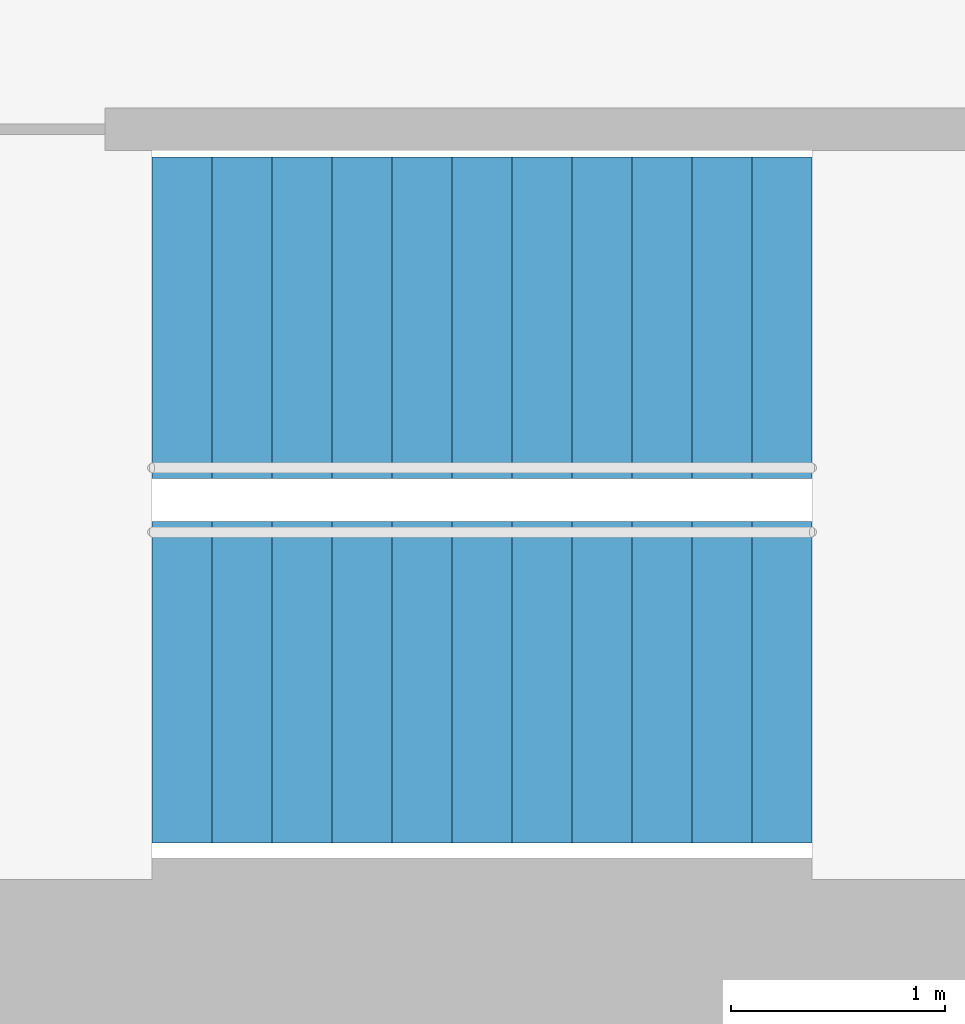
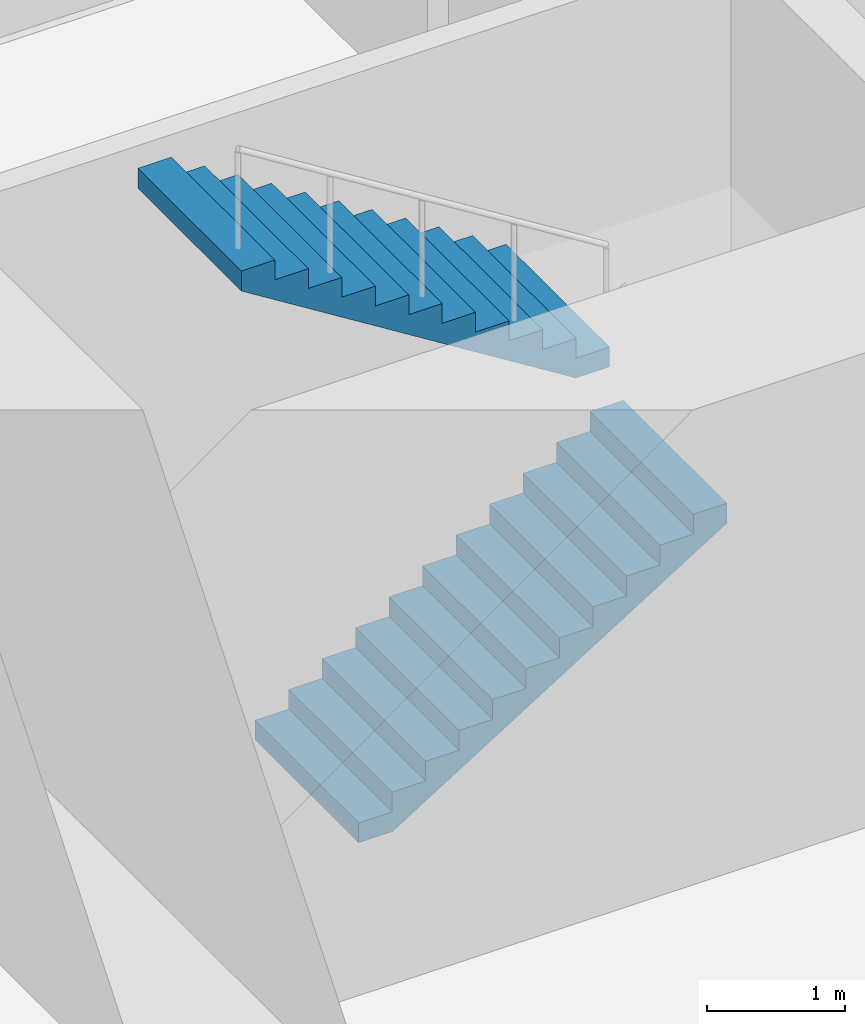
# One storey, part 16 of 18: 2 stair flights, 1 element without a shape of its own.
"""IFC4 building model written with IfcOpenShell, lengths in metres."""

from ifc_helpers import new_model, si_unit, direction, frame, origin, place, context, subcontext, project, spatial, triangles, material, type_object, element, aggregate, save


model = new_model("IFC4")

# Units and contexts
model_context = context("Model", 3, precision=1e-05, world=origin(), true_north=direction((0.0, 1.0)))
body_context = subcontext(model_context, "Body", "Model", "MODEL_VIEW")
ifc_project = project(units=[si_unit("LENGTHUNIT", "METRE"), si_unit("AREAUNIT", "SQUARE_METRE"), si_unit("VOLUMEUNIT", "CUBIC_METRE"), si_unit("PLANEANGLEUNIT", "RADIAN"), si_unit("MASSUNIT", "GRAM", prefix="KILO")], contexts=[model_context])

# Site, building, storey
site_placement = place(None, origin())
site = spatial("IfcSite", under=ifc_project, at=site_placement, CompositionType="ELEMENT")
building_placement = place(site_placement, origin())
building = spatial("IfcBuilding", under=site, at=building_placement, Name="Lantaw Convention Tower", CompositionType="ELEMENT")
storey_placement = place(building_placement, frame((0.0, 0.0, 188.800048828125)))
storey = spatial("IfcBuildingStorey", under=building, at=storey_placement, Name="L44", CompositionType="ELEMENT", Elevation=188.800048828125)

# Stair, stair flights
ifc_material = material(Name="Concrete C35/45", Category="concrete")
stair_type = type_object("IfcStairType", Name="Exit stair 1500 riser 175 in 2 flights", PredefinedType="HALF_TURN_STAIR", material=ifc_material)
stair_placement = place(storey_placement, origin())
stair = element("IfcStair", 1, at=stair_placement, inside=storey, type_object=stair_type, Name="Exit stair S1 L44", PredefinedType="HALF_TURN_STAIR")
stair_flight_type = type_object("IfcStairFlightType", Name="Stair flight 1500 riser 175", PredefinedType="STRAIGHT", material=ifc_material)
stair_flight_1_placement = place(storey_placement, frame((-10.580078125, -5.97998046875, 0.0), z_axis=(0.0, 0.0, 1.0), x_axis=(1.0, 0.0, 0.0)))
stair_flight_1 = element("IfcStairFlight", 2, at=stair_flight_1_placement, type_object=stair_flight_type, Name="S1 flight 1", NumberOfRisers=12, NumberOfTreads=11, PredefinedType="STRAIGHT", RiserHeight=0.175, TreadLength=0.28, context=body_context, shape_type="Tessellation", body=[
    triangles([(0.0, 0.75, 0.0), (0.0, 0.75, 0.175), (0.28, 0.75, 0.0), (0.28, 0.75, 0.175), (0.28, 0.75, 0.35), (0.28283517651771284, 0.75, 0.0), (0.28283517651771284, 0.75, 0.35), (0.56, 0.75, 0.17322801467642948), (0.56, 0.75, 0.35), (0.56, 0.75, 0.5249999999999999), (0.8400000000000001, 0.75, 0.34822801467642944), (0.8400000000000001, 0.75, 0.5249999999999999), (0.8400000000000001, 0.75, 0.7), (1.12, 0.75, 0.5232280146764294), (1.12, 0.75, 0.7), (1.12, 0.75, 0.875), (1.4000000000000001, 0.75, 0.6982280146764295), (1.4000000000000001, 0.75, 0.875), (1.4000000000000001, 0.75, 1.0499999999999998), (1.6800000000000002, 0.75, 0.8732280146764294), (1.6800000000000002, 0.75, 1.0499999999999998), (1.6800000000000002, 0.75, 1.2249999999999999), (1.9600000000000002, 0.75, 1.0482280146764293), (1.9600000000000002, 0.75, 1.2249999999999999), (1.9600000000000002, 0.75, 1.4), (2.24, 0.75, 1.2232280146764294), (2.24, 0.75, 1.4), (2.24, 0.75, 1.575), (2.5200000000000005, 0.75, 1.3982280146764294), (2.5200000000000005, 0.75, 1.575), (2.5200000000000005, 0.75, 1.75), (2.8000000000000003, 0.75, 1.5732280146764293), (2.8000000000000003, 0.75, 1.75), (2.8000000000000003, 0.75, 1.9249999999999998), (3.08, 0.75, 1.7482280146764293), (3.08, 0.75, 1.9249999999999998), (0.0, -0.75, 0.0), (0.0, -0.75, 0.175), (0.28, -0.75, 0.0), (0.28, -0.75, 0.175), (0.28, -0.75, 0.35), (0.28283517651771284, -0.75, 0.0), (0.28283517651771284, -0.75, 0.35), (0.56, -0.75, 0.17322801467642948), (0.56, -0.75, 0.35), (0.56, -0.75, 0.5249999999999999), (0.8400000000000001, -0.75, 0.34822801467642944), (0.8400000000000001, -0.75, 0.5249999999999999), (0.8400000000000001, -0.75, 0.7), (1.12, -0.75, 0.5232280146764294), (1.12, -0.75, 0.7), (1.12, -0.75, 0.875), (1.4000000000000001, -0.75, 0.6982280146764295), (1.4000000000000001, -0.75, 0.875), (1.4000000000000001, -0.75, 1.0499999999999998), (1.6800000000000002, -0.75, 0.8732280146764294), (1.6800000000000002, -0.75, 1.0499999999999998), (1.6800000000000002, -0.75, 1.2249999999999999), (1.9600000000000002, -0.75, 1.0482280146764293), (1.9600000000000002, -0.75, 1.2249999999999999), (1.9600000000000002, -0.75, 1.4), (2.24, -0.75, 1.2232280146764294), (2.24, -0.75, 1.4), (2.24, -0.75, 1.575), (2.5200000000000005, -0.75, 1.3982280146764294), (2.5200000000000005, -0.75, 1.575), (2.5200000000000005, -0.75, 1.75), (2.8000000000000003, -0.75, 1.5732280146764293), (2.8000000000000003, -0.75, 1.75), (2.8000000000000003, -0.75, 1.9249999999999998), (3.08, -0.75, 1.7482280146764293), (3.08, -0.75, 1.9249999999999998), (0.0, 0.15000000000000002, 0.175), (0.0, 0.15000000000000002, 0.0), (0.0, 0.0, 0.175), (0.0, 0.0, 0.0), (0.0, -0.15000000000000002, 0.175), (0.0, -0.15000000000000002, 0.0), (0.28, 0.15000000000000002, 0.35), (0.28, 0.15000000000000002, 0.175), (0.28, 0.0, 0.35), (0.28, 0.0, 0.175), (0.28, -0.15000000000000002, 0.35), (0.28, -0.15000000000000002, 0.175), (0.56, 0.15000000000000002, 0.5249999999999999), (0.56, 0.15000000000000002, 0.35), (0.56, 0.0, 0.5249999999999999), (0.56, 0.0, 0.35), (0.56, -0.15000000000000002, 0.5249999999999999), (0.56, -0.15000000000000002, 0.35), (0.8400000000000001, 0.15000000000000002, 0.7), (0.8400000000000001, 0.15000000000000002, 0.5249999999999999), (0.8400000000000001, 0.0, 0.7), (0.8400000000000001, 0.0, 0.5249999999999999), (0.8400000000000001, -0.15000000000000002, 0.7), (0.8400000000000001, -0.15000000000000002, 0.5249999999999999), (1.12, 0.15000000000000002, 0.875), (1.12, 0.15000000000000002, 0.7), (1.12, 0.0, 0.875), (1.12, 0.0, 0.7), (1.12, -0.15000000000000002, 0.875), (1.12, -0.15000000000000002, 0.7), (1.4000000000000001, 0.15000000000000002, 1.0499999999999998), (1.4000000000000001, 0.15000000000000002, 0.875), (1.4000000000000001, 0.0, 1.0499999999999998), (1.4000000000000001, 0.0, 0.875), (1.4000000000000001, -0.15000000000000002, 1.0499999999999998), (1.4000000000000001, -0.15000000000000002, 0.875), (1.6800000000000002, 0.15000000000000002, 1.2249999999999999), (1.6800000000000002, 0.15000000000000002, 1.0499999999999998), (1.6800000000000002, 0.0, 1.2249999999999999), (1.6800000000000002, 0.0, 1.0499999999999998), (1.6800000000000002, -0.15000000000000002, 1.2249999999999999), (1.6800000000000002, -0.15000000000000002, 1.0499999999999998), (1.9600000000000002, 0.15000000000000002, 1.4), (1.9600000000000002, 0.15000000000000002, 1.2249999999999999), (1.9600000000000002, 0.0, 1.4), (1.9600000000000002, 0.0, 1.2249999999999999), (1.9600000000000002, -0.15000000000000002, 1.4), (1.9600000000000002, -0.15000000000000002, 1.2249999999999999), (2.24, 0.15000000000000002, 1.575), (2.24, 0.15000000000000002, 1.4), (2.24, 0.0, 1.575), (2.24, 0.0, 1.4), (2.24, -0.15000000000000002, 1.575), (2.24, -0.15000000000000002, 1.4), (2.5200000000000005, 0.15000000000000002, 1.75), (2.5200000000000005, 0.15000000000000002, 1.575), (2.5200000000000005, 0.0, 1.75), (2.5200000000000005, 0.0, 1.575), (2.5200000000000005, -0.15000000000000002, 1.75), (2.5200000000000005, -0.15000000000000002, 1.575), (2.8000000000000003, 0.15000000000000002, 1.9249999999999998), (2.8000000000000003, 0.15000000000000002, 1.75), (2.8000000000000003, 0.0, 1.9249999999999998), (2.8000000000000003, 0.0, 1.75), (2.8000000000000003, -0.15000000000000002, 1.9249999999999998), (2.8000000000000003, -0.15000000000000002, 1.75), (0.28283517651771284, 0.15000000000000002, 0.35), (0.28283517651771284, 0.0, 0.35), (0.28283517651771284, -0.15000000000000002, 0.35), (3.08, 0.15000000000000002, 1.9249999999999998), (3.08, 0.0, 1.9249999999999998), (3.08, -0.15000000000000002, 1.9249999999999998), (3.08, 0.15000000000000002, 1.7482280146764293), (3.08, 0.0, 1.7482280146764293), (3.08, -0.15000000000000002, 1.7482280146764293), (2.8000000000000003, 0.15000000000000002, 1.5732280146764293), (2.8000000000000003, 0.0, 1.5732280146764293), (2.8000000000000003, -0.15000000000000002, 1.5732280146764293), (2.5200000000000005, 0.15000000000000002, 1.3982280146764294), (2.5200000000000005, 0.0, 1.3982280146764294), (2.5200000000000005, -0.15000000000000002, 1.3982280146764294), (2.24, 0.15000000000000002, 1.2232280146764294), (2.24, 0.0, 1.2232280146764294), (2.24, -0.15000000000000002, 1.2232280146764294), (1.9600000000000002, 0.15000000000000002, 1.0482280146764293), (1.9600000000000002, 0.0, 1.0482280146764293), (1.9600000000000002, -0.15000000000000002, 1.0482280146764293), (1.6800000000000002, 0.15000000000000002, 0.8732280146764294), (1.6800000000000002, 0.0, 0.8732280146764294), (1.6800000000000002, -0.15000000000000002, 0.8732280146764294), (1.4000000000000001, 0.15000000000000002, 0.6982280146764295), (1.4000000000000001, 0.0, 0.6982280146764295), (1.4000000000000001, -0.15000000000000002, 0.6982280146764295), (1.12, 0.15000000000000002, 0.5232280146764294), (1.12, 0.0, 0.5232280146764294), (1.12, -0.15000000000000002, 0.5232280146764294), (0.8400000000000001, 0.15000000000000002, 0.34822801467642944), (0.8400000000000001, 0.0, 0.34822801467642944), (0.8400000000000001, -0.15000000000000002, 0.34822801467642944), (0.56, 0.15000000000000002, 0.17322801467642948), (0.56, 0.0, 0.17322801467642948), (0.56, -0.15000000000000002, 0.17322801467642948), (0.28283517651771284, 0.15000000000000002, 0.0), (0.28283517651771284, 0.0, 0.0), (0.28283517651771284, -0.15000000000000002, 0.0), (0.28, 0.15000000000000002, 0.0), (0.28, 0.0, 0.0), (0.28, -0.15000000000000002, 0.0)], [[1, 4, 3], [1, 2, 4], [3, 4, 6], [4, 7, 6], [4, 5, 7], [6, 9, 8], [6, 7, 9], [8, 9, 11], [9, 12, 11], [9, 10, 12], [11, 12, 14], [12, 15, 14], [12, 13, 15], [14, 15, 17], [15, 18, 17], [15, 16, 18], [17, 18, 20], [18, 21, 20], [18, 19, 21], [20, 21, 23], [21, 24, 23], [21, 22, 24], [23, 24, 26], [24, 27, 26], [24, 25, 27], [26, 27, 29], [27, 30, 29], [27, 28, 30], [29, 30, 32], [30, 33, 32], [30, 31, 33], [32, 33, 35], [33, 36, 35], [33, 34, 36], [37, 39, 40], [37, 40, 38], [39, 42, 40], [40, 42, 43], [40, 43, 41], [42, 44, 45], [42, 45, 43], [44, 47, 45], [45, 47, 48], [45, 48, 46], [47, 50, 48], [48, 50, 51], [48, 51, 49], [50, 53, 51], [51, 53, 54], [51, 54, 52], [53, 56, 54], [54, 56, 57], [54, 57, 55], [56, 59, 57], [57, 59, 60], [57, 60, 58], [59, 62, 60], [60, 62, 63], [60, 63, 61], [62, 65, 63], [63, 65, 66], [63, 66, 64], [65, 68, 66], [66, 68, 69], [66, 69, 67], [68, 71, 69], [69, 71, 72], [69, 72, 70], [1, 73, 2], [1, 74, 73], [74, 75, 73], [74, 76, 75], [76, 77, 75], [76, 78, 77], [78, 38, 77], [78, 37, 38], [4, 79, 5], [4, 80, 79], [80, 81, 79], [80, 82, 81], [82, 83, 81], [82, 84, 83], [84, 41, 83], [84, 40, 41], [9, 85, 10], [9, 86, 85], [86, 87, 85], [86, 88, 87], [88, 89, 87], [88, 90, 89], [90, 46, 89], [90, 45, 46], [12, 91, 13], [12, 92, 91], [92, 93, 91], [92, 94, 93], [94, 95, 93], [94, 96, 95], [96, 49, 95], [96, 48, 49], [15, 97, 16], [15, 98, 97], [98, 99, 97], [98, 100, 99], [100, 101, 99], [100, 102, 101], [102, 52, 101], [102, 51, 52], [18, 103, 19], [18, 104, 103], [104, 105, 103], [104, 106, 105], [106, 107, 105], [106, 108, 107], [108, 55, 107], [108, 54, 55], [21, 109, 22], [21, 110, 109], [110, 111, 109], [110, 112, 111], [112, 113, 111], [112, 114, 113], [114, 58, 113], [114, 57, 58], [24, 115, 25], [24, 116, 115], [116, 117, 115], [116, 118, 117], [118, 119, 117], [118, 120, 119], [120, 61, 119], [120, 60, 61], [27, 121, 28], [27, 122, 121], [122, 123, 121], [122, 124, 123], [124, 125, 123], [124, 126, 125], [126, 64, 125], [126, 63, 64], [30, 127, 31], [30, 128, 127], [128, 129, 127], [128, 130, 129], [130, 131, 129], [130, 132, 131], [132, 67, 131], [132, 66, 67], [33, 133, 34], [33, 134, 133], [134, 135, 133], [134, 136, 135], [136, 137, 135], [136, 138, 137], [138, 70, 137], [138, 69, 70], [2, 80, 4], [2, 73, 80], [73, 82, 80], [73, 75, 82], [75, 84, 82], [75, 77, 84], [77, 40, 84], [77, 38, 40], [5, 139, 7], [5, 79, 139], [79, 140, 139], [79, 81, 140], [81, 141, 140], [81, 83, 141], [83, 43, 141], [83, 41, 43], [7, 86, 9], [7, 139, 86], [139, 88, 86], [139, 140, 88], [140, 90, 88], [140, 141, 90], [141, 45, 90], [141, 43, 45], [10, 92, 12], [10, 85, 92], [85, 94, 92], [85, 87, 94], [87, 96, 94], [87, 89, 96], [89, 48, 96], [89, 46, 48], [13, 98, 15], [13, 91, 98], [91, 100, 98], [91, 93, 100], [93, 102, 100], [93, 95, 102], [95, 51, 102], [95, 49, 51], [16, 104, 18], [16, 97, 104], [97, 106, 104], [97, 99, 106], [99, 108, 106], [99, 101, 108], [101, 54, 108], [101, 52, 54], [19, 110, 21], [19, 103, 110], [103, 112, 110], [103, 105, 112], [105, 114, 112], [105, 107, 114], [107, 57, 114], [107, 55, 57], [22, 116, 24], [22, 109, 116], [109, 118, 116], [109, 111, 118], [111, 120, 118], [111, 113, 120], [113, 60, 120], [113, 58, 60], [25, 122, 27], [25, 115, 122], [115, 124, 122], [115, 117, 124], [117, 126, 124], [117, 119, 126], [119, 63, 126], [119, 61, 63], [28, 128, 30], [28, 121, 128], [121, 130, 128], [121, 123, 130], [123, 132, 130], [123, 125, 132], [125, 66, 132], [125, 64, 66], [31, 134, 33], [31, 127, 134], [127, 136, 134], [127, 129, 136], [129, 138, 136], [129, 131, 138], [131, 69, 138], [131, 67, 69], [34, 142, 36], [34, 133, 142], [133, 143, 142], [133, 135, 143], [135, 144, 143], [135, 137, 144], [137, 72, 144], [137, 70, 72], [36, 145, 35], [36, 142, 145], [142, 146, 145], [142, 143, 146], [143, 147, 146], [143, 144, 147], [144, 71, 147], [144, 72, 71], [35, 148, 32], [35, 145, 148], [145, 149, 148], [145, 146, 149], [146, 150, 149], [146, 147, 150], [147, 68, 150], [147, 71, 68], [32, 151, 29], [32, 148, 151], [148, 152, 151], [148, 149, 152], [149, 153, 152], [149, 150, 153], [150, 65, 153], [150, 68, 65], [29, 154, 26], [29, 151, 154], [151, 155, 154], [151, 152, 155], [152, 156, 155], [152, 153, 156], [153, 62, 156], [153, 65, 62], [26, 157, 23], [26, 154, 157], [154, 158, 157], [154, 155, 158], [155, 159, 158], [155, 156, 159], [156, 59, 159], [156, 62, 59], [23, 160, 20], [23, 157, 160], [157, 161, 160], [157, 158, 161], [158, 162, 161], [158, 159, 162], [159, 56, 162], [159, 59, 56], [20, 163, 17], [20, 160, 163], [160, 164, 163], [160, 161, 164], [161, 165, 164], [161, 162, 165], [162, 53, 165], [162, 56, 53], [17, 166, 14], [17, 163, 166], [163, 167, 166], [163, 164, 167], [164, 168, 167], [164, 165, 168], [165, 50, 168], [165, 53, 50], [14, 169, 11], [14, 166, 169], [166, 170, 169], [166, 167, 170], [167, 171, 170], [167, 168, 171], [168, 47, 171], [168, 50, 47], [11, 172, 8], [11, 169, 172], [169, 173, 172], [169, 170, 173], [170, 174, 173], [170, 171, 174], [171, 44, 174], [171, 47, 44], [8, 175, 6], [8, 172, 175], [172, 176, 175], [172, 173, 176], [173, 177, 176], [173, 174, 177], [174, 42, 177], [174, 44, 42], [6, 178, 3], [6, 175, 178], [175, 179, 178], [175, 176, 179], [176, 180, 179], [176, 177, 180], [177, 39, 180], [177, 42, 39], [3, 74, 1], [3, 178, 74], [178, 76, 74], [178, 179, 76], [179, 78, 76], [179, 180, 78], [180, 37, 78], [180, 39, 37]], closed=True),
])
stair_flight_2_placement = place(storey_placement, frame((-7.5, -4.280029296875, 2.099853515625), z_axis=(0.0, 0.0, 1.0), x_axis=(-1.0, 0.0, 0.0)))
stair_flight_2 = element("IfcStairFlight", 3, at=stair_flight_2_placement, type_object=stair_flight_type, Name="S1 flight 2", NumberOfRisers=12, NumberOfTreads=11, PredefinedType="STRAIGHT", RiserHeight=0.175, TreadLength=0.28, context=body_context, shape_type="Tessellation", body=[
    triangles([(0.0, 0.75, 0.0), (0.0, 0.75, 0.175), (0.28, 0.75, 0.0), (0.28, 0.75, 0.175), (0.28, 0.75, 0.35), (0.28283517651771284, 0.75, 0.0), (0.28283517651771284, 0.75, 0.35), (0.56, 0.75, 0.17322801467642948), (0.56, 0.75, 0.35), (0.56, 0.75, 0.5249999999999999), (0.8400000000000001, 0.75, 0.34822801467642944), (0.8400000000000001, 0.75, 0.5249999999999999), (0.8400000000000001, 0.75, 0.7), (1.12, 0.75, 0.5232280146764294), (1.12, 0.75, 0.7), (1.12, 0.75, 0.875), (1.4000000000000001, 0.75, 0.6982280146764295), (1.4000000000000001, 0.75, 0.875), (1.4000000000000001, 0.75, 1.0499999999999998), (1.6800000000000002, 0.75, 0.8732280146764294), (1.6800000000000002, 0.75, 1.0499999999999998), (1.6800000000000002, 0.75, 1.2249999999999999), (1.9600000000000002, 0.75, 1.0482280146764293), (1.9600000000000002, 0.75, 1.2249999999999999), (1.9600000000000002, 0.75, 1.4), (2.24, 0.75, 1.2232280146764294), (2.24, 0.75, 1.4), (2.24, 0.75, 1.575), (2.5200000000000005, 0.75, 1.3982280146764294), (2.5200000000000005, 0.75, 1.575), (2.5200000000000005, 0.75, 1.75), (2.8000000000000003, 0.75, 1.5732280146764293), (2.8000000000000003, 0.75, 1.75), (2.8000000000000003, 0.75, 1.9249999999999998), (3.08, 0.75, 1.7482280146764293), (3.08, 0.75, 1.9249999999999998), (0.0, -0.75, 0.0), (0.0, -0.75, 0.175), (0.28, -0.75, 0.0), (0.28, -0.75, 0.175), (0.28, -0.75, 0.35), (0.28283517651771284, -0.75, 0.0), (0.28283517651771284, -0.75, 0.35), (0.56, -0.75, 0.17322801467642948), (0.56, -0.75, 0.35), (0.56, -0.75, 0.5249999999999999), (0.8400000000000001, -0.75, 0.34822801467642944), (0.8400000000000001, -0.75, 0.5249999999999999), (0.8400000000000001, -0.75, 0.7), (1.12, -0.75, 0.5232280146764294), (1.12, -0.75, 0.7), (1.12, -0.75, 0.875), (1.4000000000000001, -0.75, 0.6982280146764295), (1.4000000000000001, -0.75, 0.875), (1.4000000000000001, -0.75, 1.0499999999999998), (1.6800000000000002, -0.75, 0.8732280146764294), (1.6800000000000002, -0.75, 1.0499999999999998), (1.6800000000000002, -0.75, 1.2249999999999999), (1.9600000000000002, -0.75, 1.0482280146764293), (1.9600000000000002, -0.75, 1.2249999999999999), (1.9600000000000002, -0.75, 1.4), (2.24, -0.75, 1.2232280146764294), (2.24, -0.75, 1.4), (2.24, -0.75, 1.575), (2.5200000000000005, -0.75, 1.3982280146764294), (2.5200000000000005, -0.75, 1.575), (2.5200000000000005, -0.75, 1.75), (2.8000000000000003, -0.75, 1.5732280146764293), (2.8000000000000003, -0.75, 1.75), (2.8000000000000003, -0.75, 1.9249999999999998), (3.08, -0.75, 1.7482280146764293), (3.08, -0.75, 1.9249999999999998), (0.0, 0.15000000000000002, 0.175), (0.0, 0.15000000000000002, 0.0), (0.0, 0.0, 0.175), (0.0, 0.0, 0.0), (0.0, -0.15000000000000002, 0.175), (0.0, -0.15000000000000002, 0.0), (0.28, 0.15000000000000002, 0.35), (0.28, 0.15000000000000002, 0.175), (0.28, 0.0, 0.35), (0.28, 0.0, 0.175), (0.28, -0.15000000000000002, 0.35), (0.28, -0.15000000000000002, 0.175), (0.56, 0.15000000000000002, 0.5249999999999999), (0.56, 0.15000000000000002, 0.35), (0.56, 0.0, 0.5249999999999999), (0.56, 0.0, 0.35), (0.56, -0.15000000000000002, 0.5249999999999999), (0.56, -0.15000000000000002, 0.35), (0.8400000000000001, 0.15000000000000002, 0.7), (0.8400000000000001, 0.15000000000000002, 0.5249999999999999), (0.8400000000000001, 0.0, 0.7), (0.8400000000000001, 0.0, 0.5249999999999999), (0.8400000000000001, -0.15000000000000002, 0.7), (0.8400000000000001, -0.15000000000000002, 0.5249999999999999), (1.12, 0.15000000000000002, 0.875), (1.12, 0.15000000000000002, 0.7), (1.12, 0.0, 0.875), (1.12, 0.0, 0.7), (1.12, -0.15000000000000002, 0.875), (1.12, -0.15000000000000002, 0.7), (1.4000000000000001, 0.15000000000000002, 1.0499999999999998), (1.4000000000000001, 0.15000000000000002, 0.875), (1.4000000000000001, 0.0, 1.0499999999999998), (1.4000000000000001, 0.0, 0.875), (1.4000000000000001, -0.15000000000000002, 1.0499999999999998), (1.4000000000000001, -0.15000000000000002, 0.875), (1.6800000000000002, 0.15000000000000002, 1.2249999999999999), (1.6800000000000002, 0.15000000000000002, 1.0499999999999998), (1.6800000000000002, 0.0, 1.2249999999999999), (1.6800000000000002, 0.0, 1.0499999999999998), (1.6800000000000002, -0.15000000000000002, 1.2249999999999999), (1.6800000000000002, -0.15000000000000002, 1.0499999999999998), (1.9600000000000002, 0.15000000000000002, 1.4), (1.9600000000000002, 0.15000000000000002, 1.2249999999999999), (1.9600000000000002, 0.0, 1.4), (1.9600000000000002, 0.0, 1.2249999999999999), (1.9600000000000002, -0.15000000000000002, 1.4), (1.9600000000000002, -0.15000000000000002, 1.2249999999999999), (2.24, 0.15000000000000002, 1.575), (2.24, 0.15000000000000002, 1.4), (2.24, 0.0, 1.575), (2.24, 0.0, 1.4), (2.24, -0.15000000000000002, 1.575), (2.24, -0.15000000000000002, 1.4), (2.5200000000000005, 0.15000000000000002, 1.75), (2.5200000000000005, 0.15000000000000002, 1.575), (2.5200000000000005, 0.0, 1.75), (2.5200000000000005, 0.0, 1.575), (2.5200000000000005, -0.15000000000000002, 1.75), (2.5200000000000005, -0.15000000000000002, 1.575), (2.8000000000000003, 0.15000000000000002, 1.9249999999999998), (2.8000000000000003, 0.15000000000000002, 1.75), (2.8000000000000003, 0.0, 1.9249999999999998), (2.8000000000000003, 0.0, 1.75), (2.8000000000000003, -0.15000000000000002, 1.9249999999999998), (2.8000000000000003, -0.15000000000000002, 1.75), (0.28283517651771284, 0.15000000000000002, 0.35), (0.28283517651771284, 0.0, 0.35), (0.28283517651771284, -0.15000000000000002, 0.35), (3.08, 0.15000000000000002, 1.9249999999999998), (3.08, 0.0, 1.9249999999999998), (3.08, -0.15000000000000002, 1.9249999999999998), (3.08, 0.15000000000000002, 1.7482280146764293), (3.08, 0.0, 1.7482280146764293), (3.08, -0.15000000000000002, 1.7482280146764293), (2.8000000000000003, 0.15000000000000002, 1.5732280146764293), (2.8000000000000003, 0.0, 1.5732280146764293), (2.8000000000000003, -0.15000000000000002, 1.5732280146764293), (2.5200000000000005, 0.15000000000000002, 1.3982280146764294), (2.5200000000000005, 0.0, 1.3982280146764294), (2.5200000000000005, -0.15000000000000002, 1.3982280146764294), (2.24, 0.15000000000000002, 1.2232280146764294), (2.24, 0.0, 1.2232280146764294), (2.24, -0.15000000000000002, 1.2232280146764294), (1.9600000000000002, 0.15000000000000002, 1.0482280146764293), (1.9600000000000002, 0.0, 1.0482280146764293), (1.9600000000000002, -0.15000000000000002, 1.0482280146764293), (1.6800000000000002, 0.15000000000000002, 0.8732280146764294), (1.6800000000000002, 0.0, 0.8732280146764294), (1.6800000000000002, -0.15000000000000002, 0.8732280146764294), (1.4000000000000001, 0.15000000000000002, 0.6982280146764295), (1.4000000000000001, 0.0, 0.6982280146764295), (1.4000000000000001, -0.15000000000000002, 0.6982280146764295), (1.12, 0.15000000000000002, 0.5232280146764294), (1.12, 0.0, 0.5232280146764294), (1.12, -0.15000000000000002, 0.5232280146764294), (0.8400000000000001, 0.15000000000000002, 0.34822801467642944), (0.8400000000000001, 0.0, 0.34822801467642944), (0.8400000000000001, -0.15000000000000002, 0.34822801467642944), (0.56, 0.15000000000000002, 0.17322801467642948), (0.56, 0.0, 0.17322801467642948), (0.56, -0.15000000000000002, 0.17322801467642948), (0.28283517651771284, 0.15000000000000002, 0.0), (0.28283517651771284, 0.0, 0.0), (0.28283517651771284, -0.15000000000000002, 0.0), (0.28, 0.15000000000000002, 0.0), (0.28, 0.0, 0.0), (0.28, -0.15000000000000002, 0.0)], [[1, 4, 3], [1, 2, 4], [3, 4, 6], [4, 7, 6], [4, 5, 7], [6, 9, 8], [6, 7, 9], [8, 9, 11], [9, 12, 11], [9, 10, 12], [11, 12, 14], [12, 15, 14], [12, 13, 15], [14, 15, 17], [15, 18, 17], [15, 16, 18], [17, 18, 20], [18, 21, 20], [18, 19, 21], [20, 21, 23], [21, 24, 23], [21, 22, 24], [23, 24, 26], [24, 27, 26], [24, 25, 27], [26, 27, 29], [27, 30, 29], [27, 28, 30], [29, 30, 32], [30, 33, 32], [30, 31, 33], [32, 33, 35], [33, 36, 35], [33, 34, 36], [37, 39, 40], [37, 40, 38], [39, 42, 40], [40, 42, 43], [40, 43, 41], [42, 44, 45], [42, 45, 43], [44, 47, 45], [45, 47, 48], [45, 48, 46], [47, 50, 48], [48, 50, 51], [48, 51, 49], [50, 53, 51], [51, 53, 54], [51, 54, 52], [53, 56, 54], [54, 56, 57], [54, 57, 55], [56, 59, 57], [57, 59, 60], [57, 60, 58], [59, 62, 60], [60, 62, 63], [60, 63, 61], [62, 65, 63], [63, 65, 66], [63, 66, 64], [65, 68, 66], [66, 68, 69], [66, 69, 67], [68, 71, 69], [69, 71, 72], [69, 72, 70], [1, 73, 2], [1, 74, 73], [74, 75, 73], [74, 76, 75], [76, 77, 75], [76, 78, 77], [78, 38, 77], [78, 37, 38], [4, 79, 5], [4, 80, 79], [80, 81, 79], [80, 82, 81], [82, 83, 81], [82, 84, 83], [84, 41, 83], [84, 40, 41], [9, 85, 10], [9, 86, 85], [86, 87, 85], [86, 88, 87], [88, 89, 87], [88, 90, 89], [90, 46, 89], [90, 45, 46], [12, 91, 13], [12, 92, 91], [92, 93, 91], [92, 94, 93], [94, 95, 93], [94, 96, 95], [96, 49, 95], [96, 48, 49], [15, 97, 16], [15, 98, 97], [98, 99, 97], [98, 100, 99], [100, 101, 99], [100, 102, 101], [102, 52, 101], [102, 51, 52], [18, 103, 19], [18, 104, 103], [104, 105, 103], [104, 106, 105], [106, 107, 105], [106, 108, 107], [108, 55, 107], [108, 54, 55], [21, 109, 22], [21, 110, 109], [110, 111, 109], [110, 112, 111], [112, 113, 111], [112, 114, 113], [114, 58, 113], [114, 57, 58], [24, 115, 25], [24, 116, 115], [116, 117, 115], [116, 118, 117], [118, 119, 117], [118, 120, 119], [120, 61, 119], [120, 60, 61], [27, 121, 28], [27, 122, 121], [122, 123, 121], [122, 124, 123], [124, 125, 123], [124, 126, 125], [126, 64, 125], [126, 63, 64], [30, 127, 31], [30, 128, 127], [128, 129, 127], [128, 130, 129], [130, 131, 129], [130, 132, 131], [132, 67, 131], [132, 66, 67], [33, 133, 34], [33, 134, 133], [134, 135, 133], [134, 136, 135], [136, 137, 135], [136, 138, 137], [138, 70, 137], [138, 69, 70], [2, 80, 4], [2, 73, 80], [73, 82, 80], [73, 75, 82], [75, 84, 82], [75, 77, 84], [77, 40, 84], [77, 38, 40], [5, 139, 7], [5, 79, 139], [79, 140, 139], [79, 81, 140], [81, 141, 140], [81, 83, 141], [83, 43, 141], [83, 41, 43], [7, 86, 9], [7, 139, 86], [139, 88, 86], [139, 140, 88], [140, 90, 88], [140, 141, 90], [141, 45, 90], [141, 43, 45], [10, 92, 12], [10, 85, 92], [85, 94, 92], [85, 87, 94], [87, 96, 94], [87, 89, 96], [89, 48, 96], [89, 46, 48], [13, 98, 15], [13, 91, 98], [91, 100, 98], [91, 93, 100], [93, 102, 100], [93, 95, 102], [95, 51, 102], [95, 49, 51], [16, 104, 18], [16, 97, 104], [97, 106, 104], [97, 99, 106], [99, 108, 106], [99, 101, 108], [101, 54, 108], [101, 52, 54], [19, 110, 21], [19, 103, 110], [103, 112, 110], [103, 105, 112], [105, 114, 112], [105, 107, 114], [107, 57, 114], [107, 55, 57], [22, 116, 24], [22, 109, 116], [109, 118, 116], [109, 111, 118], [111, 120, 118], [111, 113, 120], [113, 60, 120], [113, 58, 60], [25, 122, 27], [25, 115, 122], [115, 124, 122], [115, 117, 124], [117, 126, 124], [117, 119, 126], [119, 63, 126], [119, 61, 63], [28, 128, 30], [28, 121, 128], [121, 130, 128], [121, 123, 130], [123, 132, 130], [123, 125, 132], [125, 66, 132], [125, 64, 66], [31, 134, 33], [31, 127, 134], [127, 136, 134], [127, 129, 136], [129, 138, 136], [129, 131, 138], [131, 69, 138], [131, 67, 69], [34, 142, 36], [34, 133, 142], [133, 143, 142], [133, 135, 143], [135, 144, 143], [135, 137, 144], [137, 72, 144], [137, 70, 72], [36, 145, 35], [36, 142, 145], [142, 146, 145], [142, 143, 146], [143, 147, 146], [143, 144, 147], [144, 71, 147], [144, 72, 71], [35, 148, 32], [35, 145, 148], [145, 149, 148], [145, 146, 149], [146, 150, 149], [146, 147, 150], [147, 68, 150], [147, 71, 68], [32, 151, 29], [32, 148, 151], [148, 152, 151], [148, 149, 152], [149, 153, 152], [149, 150, 153], [150, 65, 153], [150, 68, 65], [29, 154, 26], [29, 151, 154], [151, 155, 154], [151, 152, 155], [152, 156, 155], [152, 153, 156], [153, 62, 156], [153, 65, 62], [26, 157, 23], [26, 154, 157], [154, 158, 157], [154, 155, 158], [155, 159, 158], [155, 156, 159], [156, 59, 159], [156, 62, 59], [23, 160, 20], [23, 157, 160], [157, 161, 160], [157, 158, 161], [158, 162, 161], [158, 159, 162], [159, 56, 162], [159, 59, 56], [20, 163, 17], [20, 160, 163], [160, 164, 163], [160, 161, 164], [161, 165, 164], [161, 162, 165], [162, 53, 165], [162, 56, 53], [17, 166, 14], [17, 163, 166], [163, 167, 166], [163, 164, 167], [164, 168, 167], [164, 165, 168], [165, 50, 168], [165, 53, 50], [14, 169, 11], [14, 166, 169], [166, 170, 169], [166, 167, 170], [167, 171, 170], [167, 168, 171], [168, 47, 171], [168, 50, 47], [11, 172, 8], [11, 169, 172], [169, 173, 172], [169, 170, 173], [170, 174, 173], [170, 171, 174], [171, 44, 174], [171, 47, 44], [8, 175, 6], [8, 172, 175], [172, 176, 175], [172, 173, 176], [173, 177, 176], [173, 174, 177], [174, 42, 177], [174, 44, 42], [6, 178, 3], [6, 175, 178], [175, 179, 178], [175, 176, 179], [176, 180, 179], [176, 177, 180], [177, 39, 180], [177, 42, 39], [3, 74, 1], [3, 178, 74], [178, 76, 74], [178, 179, 76], [179, 78, 76], [179, 180, 78], [180, 37, 78], [180, 39, 37]], closed=True),
])
aggregate(stair, [stair_flight_1, stair_flight_2])

save(model, "model.ifc")
